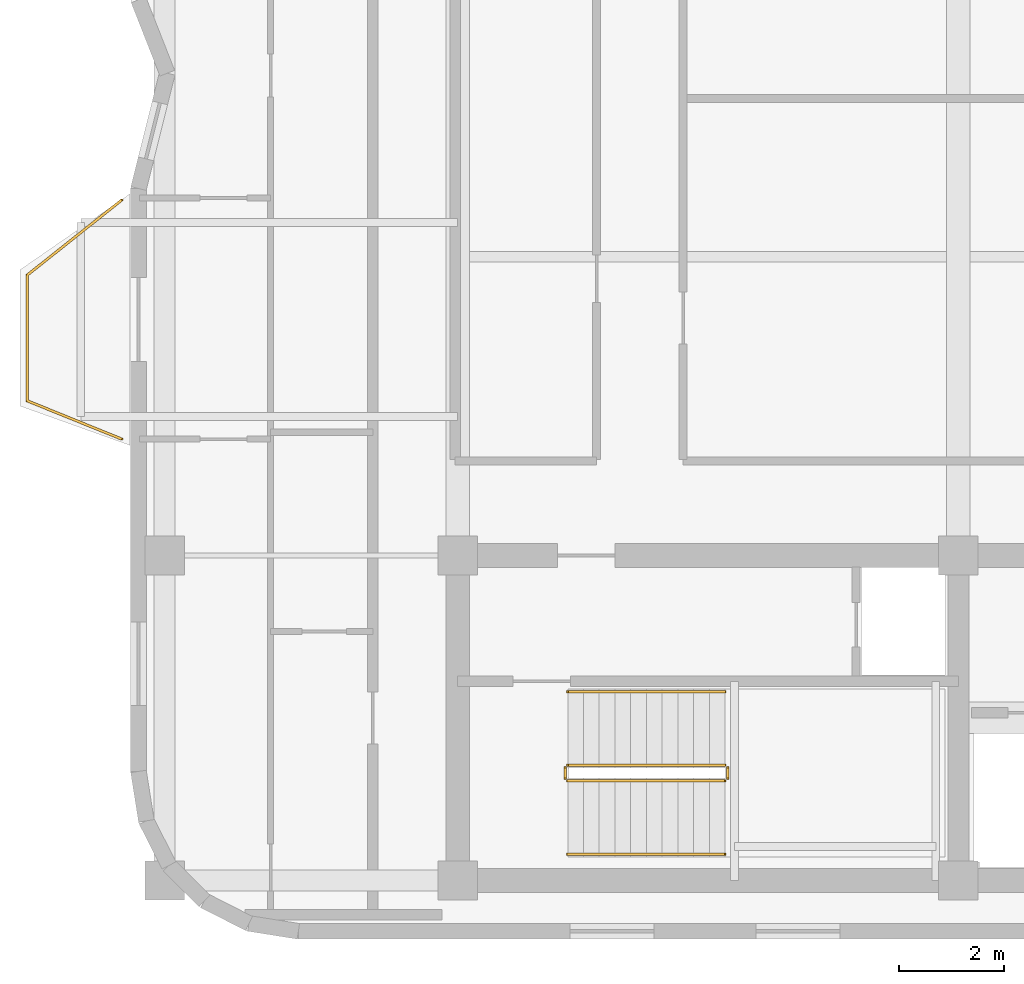
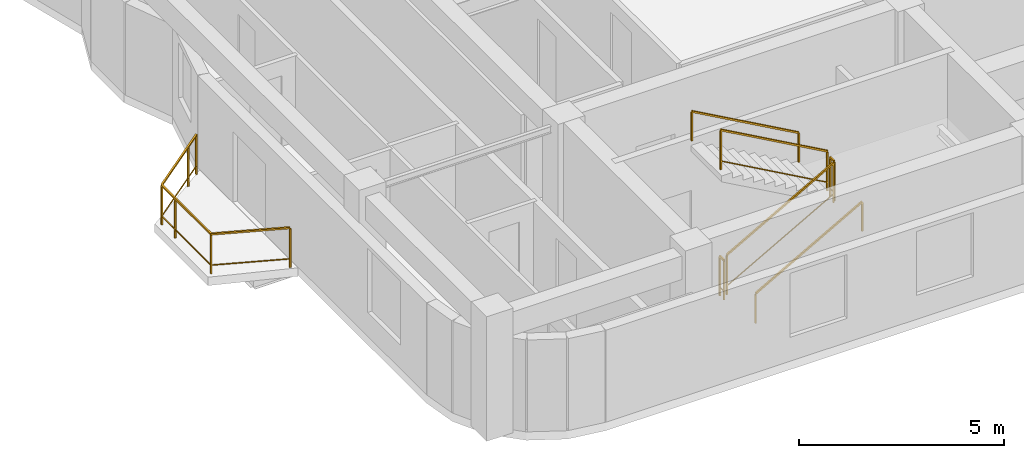
# One storey, part 7 of 8: 7 railings.
"""IFC4 building model written with IfcOpenShell, lengths in metres."""

from ifc_helpers import new_model, si_unit, direction, frame, origin, origin_2d, place, context, subcontext, project, spatial, rectangle, extrude, material, type_object, element, save


model = new_model("IFC4")

# Units and contexts
model_context = context("Model", 3, precision=1e-05, world=origin(), true_north=direction((0.0, 1.0)))
body_context = subcontext(model_context, "Body", "Model", "MODEL_VIEW")
ifc_project = project(units=[si_unit("LENGTHUNIT", "METRE"), si_unit("AREAUNIT", "SQUARE_METRE"), si_unit("VOLUMEUNIT", "CUBIC_METRE"), si_unit("PLANEANGLEUNIT", "RADIAN"), si_unit("MASSUNIT", "GRAM", prefix="KILO")], contexts=[model_context])

# Site, building, storey
site_placement = place(None, origin())
site = spatial("IfcSite", under=ifc_project, at=site_placement, CompositionType="ELEMENT")
building_placement = place(site_placement, origin())
building = spatial("IfcBuilding", under=site, at=building_placement, Name="Svetorya Sky Lyceum", CompositionType="ELEMENT")
storey_placement = place(building_placement, frame((0.0, 0.0, 263.89990234375)))
storey = spatial("IfcBuildingStorey", under=building, at=storey_placement, Name="L66", CompositionType="ELEMENT", Elevation=263.89990234375)

# Railings
ifc_material_1 = material(Name="Laminated safety glass and stainless AISI 316", Category="glass")
railing_type_1 = type_object("IfcRailingType", Name="RL-BAL-1200", PredefinedType="BALUSTRADE", material=ifc_material_1)
railing_1_placement = place(storey_placement, frame((19.18994140625, 19.02001953125, 0.0)))
element("IfcRailing", 1, at=railing_1_placement, inside=storey, type_object=railing_type_1, Name="L66 Balcony Balustrade BAL-W1", PredefinedType="BALUSTRADE", context=body_context, shape_type="SweptSolid", body=[
    extrude(rectangle(XDim=0.048095703125, YDim=0.048095703125, at=origin_2d()), frame((0.0, 0.0, 1.17578125), z_axis=(-0.926697865975, 0.375807218129, 0.0), x_axis=(-0.375807218129, -0.926697865975, 0.0)), (0.0, 0.0, 1.0), 1.9423828125),
    extrude(rectangle(XDim=0.02392578125, YDim=0.02392578125, at=origin_2d()), frame((0.0, 0.0, 0.25), z_axis=(-0.926697865975, 0.375807218129, 0.0), x_axis=(-0.375807218129, -0.926697865975, 0.0)), (0.0, 0.0, 1.0), 1.9423828125),
    extrude(rectangle(XDim=0.048095703125, YDim=0.048095703125, at=origin_2d()), frame((-1.800048828125, 0.72998046875, 1.17578125), z_axis=(0.0, 1.0, 0.0), x_axis=(-1.0, 0.0, 0.0)), (0.0, 0.0, 1.0), 2.39990234375),
    extrude(rectangle(XDim=0.02392578125, YDim=0.02392578125, at=origin_2d()), frame((-1.800048828125, 0.72998046875, 0.25), z_axis=(0.0, 1.0, 0.0), x_axis=(-1.0, 0.0, 0.0)), (0.0, 0.0, 1.0), 2.39990234375),
    extrude(rectangle(XDim=0.048095703125, YDim=0.048095703125, at=origin_2d()), frame((-1.800048828125, 3.1298828125, 1.17578125), z_axis=(0.782957196596, 0.622075580857, 0.0), x_axis=(-0.622075580857, 0.782957196596, 0.0)), (0.0, 0.0, 1.0), 2.299072265625),
    extrude(rectangle(XDim=0.02392578125, YDim=0.02392578125, at=origin_2d()), frame((-1.800048828125, 3.1298828125, 0.25), z_axis=(0.782957196596, 0.622075580857, 0.0), x_axis=(-0.622075580857, 0.782957196596, 0.0)), (0.0, 0.0, 1.0), 2.299072265625),
    extrude(rectangle(XDim=0.0419921875, YDim=0.0419921875, at=origin_2d()), origin(), (0.0, 0.0, 1.0), 1.15185546875),
    extrude(rectangle(XDim=0.0419921875, YDim=0.0419921875, at=origin_2d()), frame((-1.800048828125, 0.72998046875, 0.0)), (0.0, 0.0, 1.0), 1.15185546875),
    extrude(rectangle(XDim=0.0419921875, YDim=0.0419921875, at=origin_2d()), frame((-1.800048828125, 2.47998046875, 0.0)), (0.0, 0.0, 1.0), 1.15185546875),
    extrude(rectangle(XDim=0.0419921875, YDim=0.0419921875, at=origin_2d()), frame((-1.800048828125, 3.1298828125, 0.0)), (0.0, 0.0, 1.0), 1.15185546875),
    extrude(rectangle(XDim=0.0419921875, YDim=0.0419921875, at=origin_2d()), frame((-0.429931640625, 4.218505859375, 0.0)), (0.0, 0.0, 1.0), 1.15185546875),
    extrude(rectangle(XDim=0.0419921875, YDim=0.0419921875, at=origin_2d()), frame((0.0, 4.56005859375, 0.0)), (0.0, 0.0, 1.0), 1.15185546875),
])
ifc_material_2 = material(Name="Painted galvanized stair well guard")
railing_type_2 = type_object("IfcRailingType", Name="RL-STR-GUARD-1200", PredefinedType="GUARDRAIL", material=ifc_material_2)
railing_2_placement = place(storey_placement, frame((27.699951171875, 12.5, 0.168212890625)))
element("IfcRailing", 2, at=railing_2_placement, inside=storey, type_object=railing_type_2, Name="L66 ST-S stair guard 1", PredefinedType="GUARDRAIL", context=body_context, shape_type="SweptSolid", body=[
    extrude(rectangle(XDim=0.048095703125, YDim=0.048095703125, at=origin_2d()), frame((0.0, 0.0, 1.17578125), z_axis=(0.872272294576, 0.0, 0.489020494575), x_axis=(0.0, 1.0, 0.0)), (0.0, 0.0, 1.0), 3.439208984375),
    extrude(rectangle(XDim=0.02392578125, YDim=0.02392578125, at=origin_2d()), frame((0.0, 0.0, 0.25), z_axis=(0.872272294576, 0.0, 0.489020494575), x_axis=(0.0, 1.0, 0.0)), (0.0, 0.0, 1.0), 3.439208984375),
    extrude(rectangle(XDim=0.0419921875, YDim=0.0419921875, at=origin_2d()), origin(), (0.0, 0.0, 1.0), 1.15185546875),
    extrude(rectangle(XDim=0.0419921875, YDim=0.0419921875, at=origin_2d()), frame((3.0, 0.0, 1.681884765625)), (0.0, 0.0, 1.0), 1.15185546875),
])
railing_3_placement = place(storey_placement, frame((30.75, 12.550048828125, 1.85009765625)))
element("IfcRailing", 3, at=railing_3_placement, inside=storey, type_object=railing_type_2, Name="L66 ST-S stair guard 2", PredefinedType="GUARDRAIL", context=body_context, shape_type="SweptSolid", body=[
    extrude(rectangle(XDim=0.048095703125, YDim=0.048095703125, at=origin_2d()), frame((0.0, 0.0, 1.17578125), z_axis=(0.0, 1.0, 0.0), x_axis=(-1.0, 0.0, 0.0)), (0.0, 0.0, 1.0), 0.199951171875),
    extrude(rectangle(XDim=0.02392578125, YDim=0.02392578125, at=origin_2d()), frame((0.0, 0.0, 0.25), z_axis=(0.0, 1.0, 0.0), x_axis=(-1.0, 0.0, 0.0)), (0.0, 0.0, 1.0), 0.199951171875),
    extrude(rectangle(XDim=0.0419921875, YDim=0.0419921875, at=origin_2d()), origin(), (0.0, 0.0, 1.0), 1.15185546875),
    extrude(rectangle(XDim=0.0419921875, YDim=0.0419921875, at=origin_2d()), frame((0.0, 0.199951171875, 0.0)), (0.0, 0.0, 1.0), 1.15185546875),
])
railing_4_placement = place(storey_placement, frame((30.699951171875, 12.800048828125, 2.018310546875)))
element("IfcRailing", 4, at=railing_4_placement, inside=storey, type_object=railing_type_2, Name="L66 ST-S stair guard 3", PredefinedType="GUARDRAIL", context=body_context, shape_type="SweptSolid", body=[
    extrude(rectangle(XDim=0.048095703125, YDim=0.048095703125, at=origin_2d()), frame((0.0, 0.0, 1.17578125), z_axis=(-0.872272294576, 0.0, 0.489020494575), x_axis=(0.0, -1.0, 0.0)), (0.0, 0.0, 1.0), 3.439208984375),
    extrude(rectangle(XDim=0.02392578125, YDim=0.02392578125, at=origin_2d()), frame((0.0, 0.0, 0.25), z_axis=(-0.872272294576, 0.0, 0.489020494575), x_axis=(0.0, -1.0, 0.0)), (0.0, 0.0, 1.0), 3.439208984375),
    extrude(rectangle(XDim=0.0419921875, YDim=0.0419921875, at=origin_2d()), origin(), (0.0, 0.0, 1.0), 1.15185546875),
    extrude(rectangle(XDim=0.0419921875, YDim=0.0419921875, at=origin_2d()), frame((-3.0, 0.0, 1.681884765625)), (0.0, 0.0, 1.0), 1.15185546875),
])
railing_5_placement = place(storey_placement, frame((27.64990234375, 12.550048828125, 0.0)))
element("IfcRailing", 5, at=railing_5_placement, inside=storey, type_object=railing_type_2, Name="L66 ST-S stair guard 4", PredefinedType="GUARDRAIL", context=body_context, shape_type="SweptSolid", body=[
    extrude(rectangle(XDim=0.048095703125, YDim=0.048095703125, at=origin_2d()), frame((0.0, 0.0, 1.17578125), z_axis=(0.0, 1.0, 0.0), x_axis=(-1.0, 0.0, 0.0)), (0.0, 0.0, 1.0), 0.199951171875),
    extrude(rectangle(XDim=0.02392578125, YDim=0.02392578125, at=origin_2d()), frame((0.0, 0.0, 0.25), z_axis=(0.0, 1.0, 0.0), x_axis=(-1.0, 0.0, 0.0)), (0.0, 0.0, 1.0), 0.199951171875),
    extrude(rectangle(XDim=0.0419921875, YDim=0.0419921875, at=origin_2d()), origin(), (0.0, 0.0, 1.0), 1.15185546875),
    extrude(rectangle(XDim=0.0419921875, YDim=0.0419921875, at=origin_2d()), frame((0.0, 0.199951171875, 0.0)), (0.0, 0.0, 1.0), 1.15185546875),
])
ifc_material_3 = material(Name="Brushed stainless AISI 304 stair handrail")
railing_type_3 = type_object("IfcRailingType", Name="RL-STR-HAND-920", PredefinedType="HANDRAIL", material=ifc_material_3)
railing_6_placement = place(storey_placement, frame((27.699951171875, 11.10009765625, 0.168212890625)))
element("IfcRailing", 6, at=railing_6_placement, inside=storey, type_object=railing_type_3, Name="L66 ST-S stair handrail 1", PredefinedType="HANDRAIL", context=body_context, shape_type="SweptSolid", body=[
    extrude(rectangle(XDim=0.048095703125, YDim=0.048095703125, at=origin_2d()), frame((0.0, 0.0, 0.8759765625), z_axis=(0.872272294576, 0.0, 0.489020494575), x_axis=(0.0, 1.0, 0.0)), (0.0, 0.0, 1.0), 3.439208984375),
    extrude(rectangle(XDim=0.0419921875, YDim=0.0419921875, at=origin_2d()), origin(), (0.0, 0.0, 1.0), 0.851806640625),
    extrude(rectangle(XDim=0.0419921875, YDim=0.0419921875, at=origin_2d()), frame((3.0, 0.0, 1.681884765625)), (0.0, 0.0, 1.0), 0.851806640625),
])
railing_7_placement = place(storey_placement, frame((30.699951171875, 14.199951171875, 2.018310546875)))
element("IfcRailing", 7, at=railing_7_placement, inside=storey, type_object=railing_type_3, Name="L66 ST-S stair handrail 2", PredefinedType="HANDRAIL", context=body_context, shape_type="SweptSolid", body=[
    extrude(rectangle(XDim=0.048095703125, YDim=0.048095703125, at=origin_2d()), frame((0.0, 0.0, 0.8759765625), z_axis=(-0.872272294576, 0.0, 0.489020494575), x_axis=(0.0, -1.0, 0.0)), (0.0, 0.0, 1.0), 3.439208984375),
    extrude(rectangle(XDim=0.0419921875, YDim=0.0419921875, at=origin_2d()), origin(), (0.0, 0.0, 1.0), 0.851806640625),
    extrude(rectangle(XDim=0.0419921875, YDim=0.0419921875, at=origin_2d()), frame((-3.0, 0.0, 1.681884765625)), (0.0, 0.0, 1.0), 0.851806640625),
])

save(model, "model.ifc")
